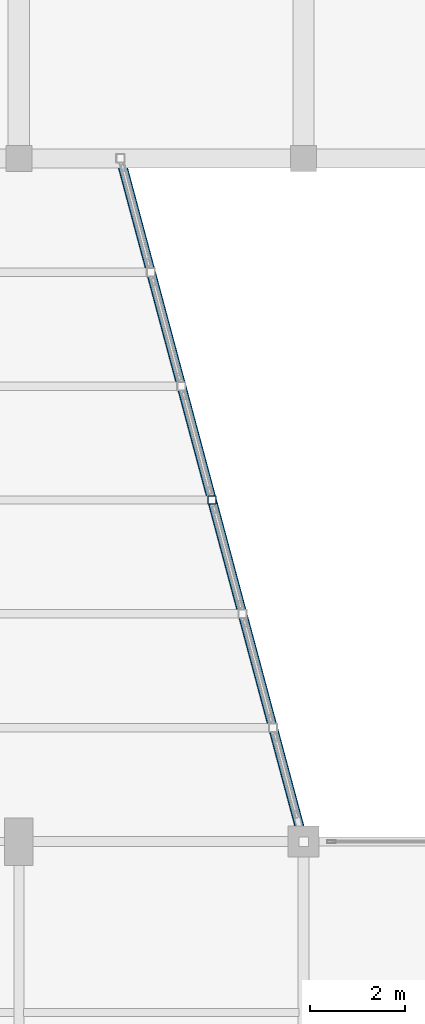
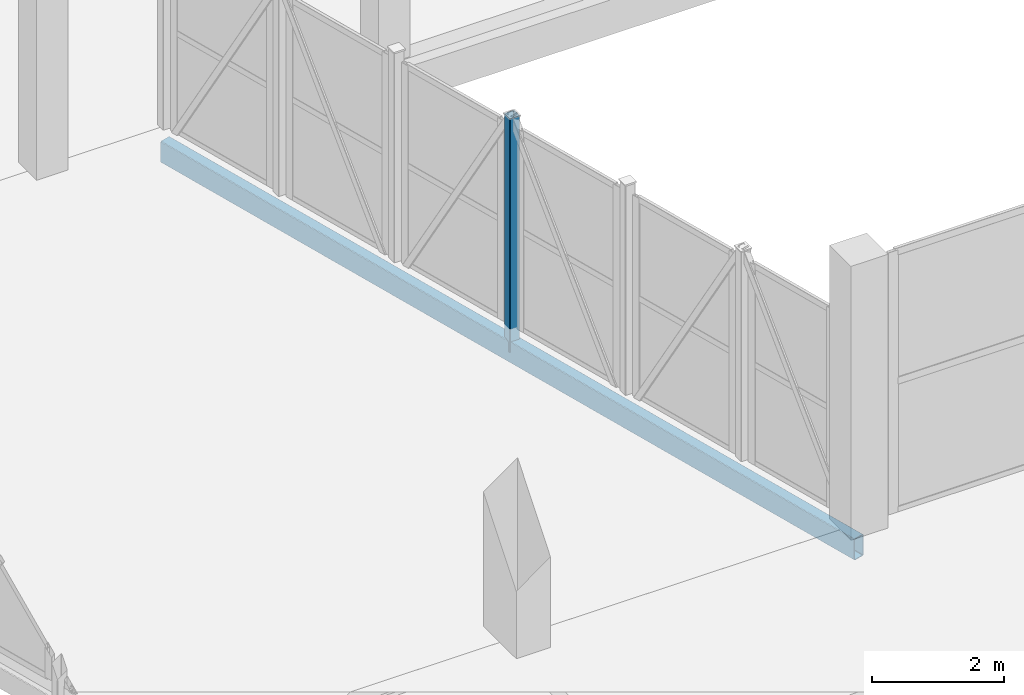
# One storey, part 47 of 127: 1 beam, 1 member.
"""IFC4 building model written with IfcOpenShell, lengths in metres."""

from ifc_helpers import new_model, si_unit, direction, frame, origin, origin_2d, place, context, subcontext, project, spatial, hollow_rectangle, extrude, material, material_profile, profile_set, type_object, element, save


model = new_model("IFC4")

# Units and contexts
model_context = context("Model", 3, precision=1e-05, world=origin(), true_north=direction((0.0, 1.0)))
body_context = subcontext(model_context, "Body", "Model", "MODEL_VIEW")
ifc_project = project(units=[si_unit("LENGTHUNIT", "METRE"), si_unit("AREAUNIT", "SQUARE_METRE"), si_unit("VOLUMEUNIT", "CUBIC_METRE"), si_unit("PLANEANGLEUNIT", "RADIAN"), si_unit("MASSUNIT", "GRAM", prefix="KILO")], contexts=[model_context])

# Site, building, storey
site_placement = place(None, origin())
site = spatial("IfcSite", under=ifc_project, at=site_placement, CompositionType="ELEMENT")
building_placement = place(site_placement, origin())
building = spatial("IfcBuilding", under=site, at=building_placement, Name="Dunvalen Ferry Terminal", CompositionType="ELEMENT")
storey_placement = place(building_placement, frame((0.0, 0.0, 5.760009765625)))
storey = spatial("IfcBuildingStorey", under=building, at=storey_placement, Name="L01", CompositionType="ELEMENT", Elevation=5.760009765625)

# Beam
ifc_material = material(Name="Steel S355", Category="steel")
ifc_material_profile_1 = material_profile(ifc_material, hollow_rectangle(XDim=0.199951171875, YDim=0.39990234375, WallThickness=0.012451171875, InnerFilletRadius=0.012451171875, OuterFilletRadius=0.02490234375, at=origin_2d()), Name="Steel S355")
ifc_profile_set_1 = profile_set([ifc_material_profile_1], Name="Steel S355")
beam_type = type_object("IfcBeamType", Name="STR-BM-RHS400", PredefinedType="BEAM", material=ifc_profile_set_1)
beam_placement = place(storey_placement, frame((42.0, 86.39990234375, -0.43994140625), z_axis=(-0.258812211902, 0.965927657214, 0.0), x_axis=(-0.965927657214, -0.258812211902, 0.0)))
element("IfcBeam", 1, at=beam_placement, inside=storey, type_object=beam_type, Name="Boarding Bridge 1 Warren Bottom Chord 2", PredefinedType="BEAM", context=body_context, shape_type="SweptSolid", body=[
    extrude(hollow_rectangle(XDim=0.199951171875, YDim=0.39990234375, WallThickness=0.012451171875, InnerFilletRadius=0.012451171875, OuterFilletRadius=0.02490234375, at=origin_2d()), origin(), (0.0, 0.0, 1.0), 14.908203125),
])

# Member
ifc_material_profile_2 = material_profile(ifc_material, hollow_rectangle(XDim=0.179931640625, YDim=0.179931640625, WallThickness=0.008056640625, InnerFilletRadius=0.008056640625, OuterFilletRadius=0.01611328125, at=origin_2d()), Name="Steel S355")
ifc_profile_set_2 = profile_set([ifc_material_profile_2], Name="Steel S355")
member_type = type_object("IfcMemberType", Name="STR-MB-SHS180", PredefinedType="STRUT", material=ifc_profile_set_2)
member_placement = place(storey_placement, frame((40.07080078125, 93.60009765625, -0.43994140625), z_axis=(0.0, 0.0, 1.0), x_axis=(1.0, 0.0, 0.0)))
element("IfcMember", 2, at=member_placement, inside=storey, type_object=member_type, Name="Boarding Bridge 1 Truss Post 2.3", PredefinedType="STRUT", context=body_context, shape_type="SweptSolid", body=[
    extrude(hollow_rectangle(XDim=0.179931640625, YDim=0.179931640625, WallThickness=0.008056640625, InnerFilletRadius=0.008056640625, OuterFilletRadius=0.01611328125, at=origin_2d()), origin(), (0.0, 0.0, 1.0), 4.33984375),
])

save(model, "model.ifc")
